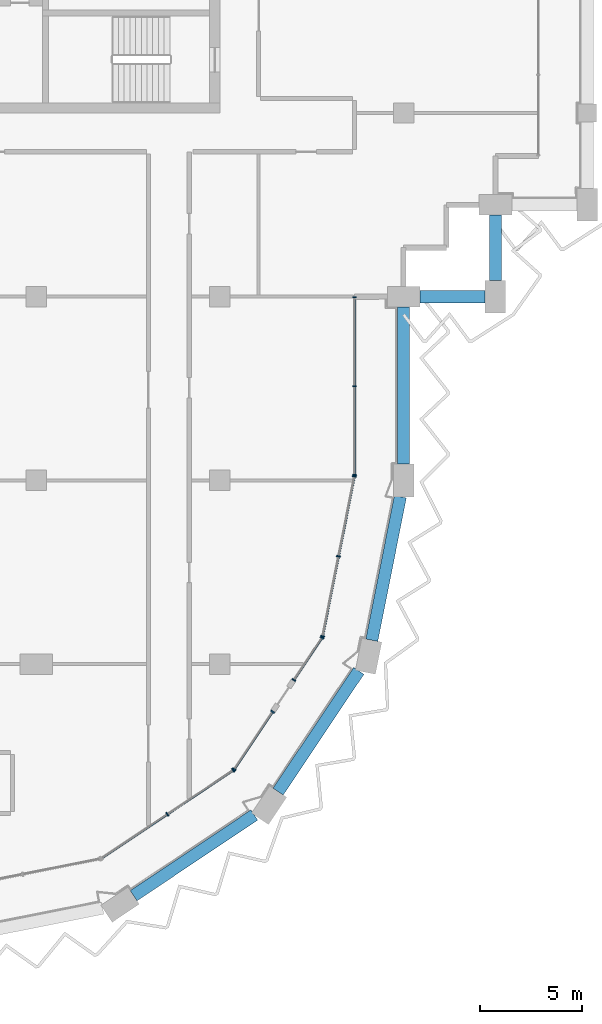
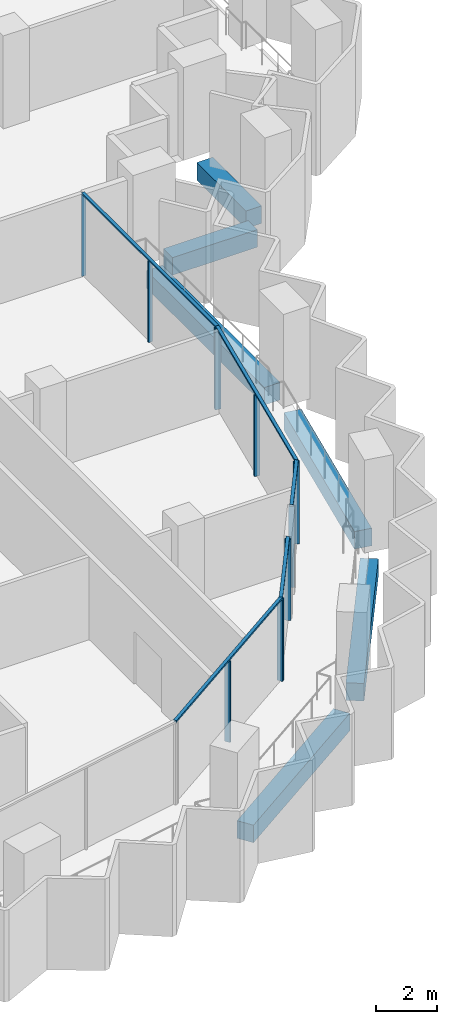
# One storey, part 4 of 17: 17 members, 6 beams, 5 elements without a shape of their own.
"""IFC4 building model written with IfcOpenShell, lengths in metres."""

from ifc_helpers import new_model, si_unit, direction, frame, origin, origin_2d, place, context, subcontext, project, spatial, rectangle, extrude, material, material_profile, profile_set, type_object, element, aggregate, save


model = new_model("IFC4")

# Units and contexts
model_context = context("Model", 3, precision=1e-05, world=origin(), true_north=direction((0.0, 1.0)))
body_context = subcontext(model_context, "Body", "Model", "MODEL_VIEW")
ifc_project = project(units=[si_unit("LENGTHUNIT", "METRE"), si_unit("AREAUNIT", "SQUARE_METRE"), si_unit("VOLUMEUNIT", "CUBIC_METRE"), si_unit("PLANEANGLEUNIT", "RADIAN"), si_unit("MASSUNIT", "GRAM", prefix="KILO")], contexts=[model_context])

# Site, building, storey
site_placement = place(None, origin())
site = spatial("IfcSite", under=ifc_project, at=site_placement, CompositionType="ELEMENT")
building_placement = place(site_placement, origin())
building = spatial("IfcBuilding", under=site, at=building_placement, Name="Hunhe Ridgeline Campus", CompositionType="ELEMENT")
storey_placement = place(building_placement, frame((0.0, 0.0, 265.10009765625)))
storey = spatial("IfcBuildingStorey", under=building, at=storey_placement, Name="L68", CompositionType="ELEMENT", Elevation=265.10009765625)

# Curtain wall, members
ifc_material_1 = material(Name="Aluminium 6063", Category="aluminium")
curtain_wall_type_1 = type_object("IfcCurtainWallType", Name="Curtain wall CW-1", PredefinedType="NOTDEFINED", material=ifc_material_1)
curtain_wall_1_placement = place(storey_placement, origin())
curtain_wall_1 = element("IfcCurtainWall", 1, at=curtain_wall_1_placement, inside=storey, type_object=curtain_wall_type_1, Name="Curtain wall 11", PredefinedType="NOTDEFINED")
ifc_material_profile_1 = material_profile(ifc_material_1, rectangle(XDim=0.159912109375, YDim=0.06005859375, at=origin_2d()))
ifc_profile_set_1 = profile_set([ifc_material_profile_1], Name="Aluminium 6063")
member_type_1 = type_object("IfcMemberType", Name="CW-1 aluminium mullion", PredefinedType="MULLION", material=ifc_profile_set_1)
member_1_placement = place(storey_placement, frame((42.59912109375, 45.266357421875, 0.0), z_axis=(0.0, 0.0, 1.0), x_axis=(-0.999999999814, 1.9283253e-05, 0.0)))
member_1 = element("IfcMember", 2, at=member_1_placement, type_object=member_type_1, Name="CW-1 mullion 1", PredefinedType="MULLION", context=body_context, shape_type="SweptSolid", body=[
    extrude(rectangle(XDim=0.159912109375, YDim=0.06005859375, at=origin_2d()), origin(), (0.0, 0.0, 1.0), 3.239990234375),
])
member_2_placement = place(storey_placement, frame((42.59912109375, 49.618408203125, 0.0), z_axis=(0.0, 0.0, 1.0), x_axis=(-0.999999999814, 1.9283253e-05, 0.0)))
member_2 = element("IfcMember", 3, at=member_2_placement, type_object=member_type_1, Name="CW-1 mullion 2", PredefinedType="MULLION", context=body_context, shape_type="SweptSolid", body=[
    extrude(rectangle(XDim=0.159912109375, YDim=0.06005859375, at=origin_2d()), origin(), (0.0, 0.0, 1.0), 3.239990234375),
])
member_3_placement = place(storey_placement, frame((42.59912109375, 53.970458984375, 0.0), z_axis=(0.0, 0.0, 1.0), x_axis=(-0.999999999814, 1.9283253e-05, 0.0)))
member_3 = element("IfcMember", 4, at=member_3_placement, type_object=member_type_1, Name="CW-1 mullion 3", PredefinedType="MULLION", context=body_context, shape_type="SweptSolid", body=[
    extrude(rectangle(XDim=0.159912109375, YDim=0.06005859375, at=origin_2d()), origin(), (0.0, 0.0, 1.0), 3.239990234375),
])
ifc_material_profile_2 = material_profile(ifc_material_1, rectangle(XDim=0.1201171875, YDim=0.06005859375, at=origin_2d()))
ifc_profile_set_2 = profile_set([ifc_material_profile_2], Name="Aluminium 6063")
member_type_2 = type_object("IfcMemberType", Name="CW-1 aluminium transom", PredefinedType="USERDEFINED", material=ifc_profile_set_2)
member_4_placement = place(storey_placement, frame((42.59912109375, 45.236572265625, 3.27001953125), z_axis=(0.0, 1.0, 0.0), x_axis=(-1.0, 0.0, 0.0)))
member_4 = element("IfcMember", 5, at=member_4_placement, type_object=member_type_2, Name="CW-1 transom 1", ObjectType="TRANSOM", PredefinedType="USERDEFINED", context=body_context, shape_type="SweptSolid", body=[
    extrude(rectangle(XDim=0.1201171875, YDim=0.06005859375, at=origin_2d()), origin(), (0.0, 0.0, 1.0), 8.763916015625),
])
aggregate(curtain_wall_1, [member_4, member_1, member_2, member_3])

curtain_wall_type_2 = type_object("IfcCurtainWallType", Name="Curtain wall CW-5", PredefinedType="NOTDEFINED", material=ifc_material_1)
curtain_wall_2_placement = place(storey_placement, origin())
curtain_wall_2 = element("IfcCurtainWall", 6, at=curtain_wall_2_placement, inside=storey, type_object=curtain_wall_type_2, Name="Curtain wall 07", PredefinedType="NOTDEFINED")
ifc_material_profile_3 = material_profile(ifc_material_1, rectangle(XDim=0.199951171875, YDim=0.070068359375, at=origin_2d()))
ifc_profile_set_3 = profile_set([ifc_material_profile_3], Name="Aluminium 6063")
member_type_3 = type_object("IfcMemberType", Name="CW-5 aluminium mullion", PredefinedType="MULLION", material=ifc_profile_set_3)
member_5_placement = place(storey_placement, frame((33.42626953125, 28.647705078125, 0.0), z_axis=(0.0, 0.0, 1.0), x_axis=(-0.555570274596, 0.831469584522, 0.0)))
member_5 = element("IfcMember", 7, at=member_5_placement, type_object=member_type_3, Name="CW-5 mullion 2", PredefinedType="MULLION", context=body_context, shape_type="SweptSolid", body=[
    extrude(rectangle(XDim=0.199951171875, YDim=0.070068359375, at=origin_2d()), origin(), (0.0, 0.0, 1.0), 3.22998046875),
])
member_6_placement = place(storey_placement, frame((36.649658203125, 30.8017578125, 0.0), z_axis=(0.0, 0.0, 1.0), x_axis=(-0.555570274596, 0.831469584522, 0.0)))
member_6 = element("IfcMember", 8, at=member_6_placement, type_object=member_type_3, Name="CW-5 mullion 3", PredefinedType="MULLION", context=body_context, shape_type="SweptSolid", body=[
    extrude(rectangle(XDim=0.199951171875, YDim=0.070068359375, at=origin_2d()), origin(), (0.0, 0.0, 1.0), 3.22998046875),
])

curtain_wall_3_placement = place(storey_placement, origin())
curtain_wall_3 = element("IfcCurtainWall", 9, at=curtain_wall_3_placement, inside=storey, type_object=curtain_wall_type_2, Name="Curtain wall 08", PredefinedType="NOTDEFINED")
member_7_placement = place(storey_placement, frame((36.6982421875, 30.850341796875, 0.0), z_axis=(0.0, 0.0, 1.0), x_axis=(-0.831469595944, 0.555570257501, 0.0)))
member_7 = element("IfcMember", 10, at=member_7_placement, type_object=member_type_3, Name="CW-5 mullion 1", PredefinedType="MULLION", context=body_context, shape_type="SweptSolid", body=[
    extrude(rectangle(XDim=0.199951171875, YDim=0.070068359375, at=origin_2d()), origin(), (0.0, 0.0, 1.0), 3.22998046875),
])
member_8_placement = place(storey_placement, frame((38.582763671875, 33.67041015625, 0.0), z_axis=(0.0, 0.0, 1.0), x_axis=(-0.831469595944, 0.555570257501, 0.0)))
member_8 = element("IfcMember", 11, at=member_8_placement, type_object=member_type_3, Name="CW-5 mullion 2", PredefinedType="MULLION", context=body_context, shape_type="SweptSolid", body=[
    extrude(rectangle(XDim=0.199951171875, YDim=0.070068359375, at=origin_2d()), origin(), (0.0, 0.0, 1.0), 3.22998046875),
])

curtain_wall_4_placement = place(storey_placement, origin())
curtain_wall_4 = element("IfcCurtainWall", 12, at=curtain_wall_4_placement, inside=storey, type_object=curtain_wall_type_2, Name="Curtain wall 09", PredefinedType="NOTDEFINED")
member_9_placement = place(storey_placement, frame((39.62158203125, 35.225341796875, 0.0), z_axis=(0.0, 0.0, 1.0), x_axis=(-0.831469510353, 0.555570385598, 0.0)))
member_9 = element("IfcMember", 13, at=member_9_placement, type_object=member_type_3, Name="CW-5 mullion 1", PredefinedType="MULLION", context=body_context, shape_type="SweptSolid", body=[
    extrude(rectangle(XDim=0.199951171875, YDim=0.070068359375, at=origin_2d()), origin(), (0.0, 0.0, 1.0), 3.22998046875),
])
member_10_placement = place(storey_placement, frame((41.006103515625, 37.29736328125, 0.0), z_axis=(0.0, 0.0, 1.0), x_axis=(-0.831469510353, 0.555570385598, 0.0)))
member_10 = element("IfcMember", 14, at=member_10_placement, type_object=member_type_3, Name="CW-5 mullion 2", PredefinedType="MULLION", context=body_context, shape_type="SweptSolid", body=[
    extrude(rectangle(XDim=0.199951171875, YDim=0.070068359375, at=origin_2d()), origin(), (0.0, 0.0, 1.0), 3.22998046875),
])

curtain_wall_5_placement = place(storey_placement, origin())
curtain_wall_5 = element("IfcCurtainWall", 15, at=curtain_wall_5_placement, inside=storey, type_object=curtain_wall_type_2, Name="Curtain wall 10", PredefinedType="NOTDEFINED")
member_11_placement = place(storey_placement, frame((41.032470703125, 37.36083984375, 0.0), z_axis=(0.0, 0.0, 1.0), x_axis=(-0.980785284939, 0.195090299215, 0.0)))
member_11 = element("IfcMember", 16, at=member_11_placement, type_object=member_type_3, Name="CW-5 mullion 1", PredefinedType="MULLION", context=body_context, shape_type="SweptSolid", body=[
    extrude(rectangle(XDim=0.199951171875, YDim=0.070068359375, at=origin_2d()), origin(), (0.0, 0.0, 1.0), 3.22998046875),
])
member_12_placement = place(storey_placement, frame((41.812255859375, 41.281494140625, 0.0), z_axis=(0.0, 0.0, 1.0), x_axis=(-0.980785284939, 0.195090299215, 0.0)))
member_12 = element("IfcMember", 17, at=member_12_placement, type_object=member_type_3, Name="CW-5 mullion 2", PredefinedType="MULLION", context=body_context, shape_type="SweptSolid", body=[
    extrude(rectangle(XDim=0.199951171875, YDim=0.070068359375, at=origin_2d()), origin(), (0.0, 0.0, 1.0), 3.22998046875),
])
member_13_placement = place(storey_placement, frame((42.59228515625, 45.2021484375, 0.0), z_axis=(0.0, 0.0, 1.0), x_axis=(-0.980785284939, 0.195090299215, 0.0)))
member_13 = element("IfcMember", 18, at=member_13_placement, type_object=member_type_3, Name="CW-5 mullion 3", PredefinedType="MULLION", context=body_context, shape_type="SweptSolid", body=[
    extrude(rectangle(XDim=0.199951171875, YDim=0.070068359375, at=origin_2d()), origin(), (0.0, 0.0, 1.0), 3.22998046875),
])

# Member
ifc_material_profile_4 = material_profile(ifc_material_1, rectangle(XDim=0.1201171875, YDim=0.070068359375, at=origin_2d()))
ifc_profile_set_4 = profile_set([ifc_material_profile_4], Name="Aluminium 6063")
member_type_4 = type_object("IfcMemberType", Name="CW-5 aluminium transom", PredefinedType="USERDEFINED", material=ifc_profile_set_4)
member_14_placement = place(storey_placement, frame((30.173583984375, 26.474365234375, 3.264892578125), z_axis=(0.831473763475, 0.5555640203, 0.0), x_axis=(-0.5555640203, 0.831473763475, 0.0)))
member_14 = element("IfcMember", 19, at=member_14_placement, type_object=member_type_4, Name="CW-5 transom 1", ObjectType="TRANSOM", PredefinedType="USERDEFINED", context=body_context, shape_type="SweptSolid", body=[
    extrude(rectangle(XDim=0.1201171875, YDim=0.070068359375, at=origin_2d()), origin(), (0.0, 0.0, 1.0), 7.823974609375),
])

aggregate(curtain_wall_2, [member_14, member_5, member_6])

member_15_placement = place(storey_placement, frame((36.678955078125, 30.821044921875, 3.264892578125), z_axis=(0.555546133463, 0.831485714606, 0.0), x_axis=(-0.831485714606, 0.555546133463, 0.0)))
member_15 = element("IfcMember", 20, at=member_15_placement, type_object=member_type_4, Name="CW-5 transom 1", ObjectType="TRANSOM", PredefinedType="USERDEFINED", context=body_context, shape_type="SweptSolid", body=[
    extrude(rectangle(XDim=0.1201171875, YDim=0.070068359375, at=origin_2d()), origin(), (0.0, 0.0, 1.0), 3.462158203125),
])

aggregate(curtain_wall_3, [member_15, member_7, member_8])

member_16_placement = place(storey_placement, frame((39.602294921875, 35.1962890625, 3.264892578125), z_axis=(0.555579547735, 0.831463388334, 0.0), x_axis=(-0.831463388334, 0.555579547735, 0.0)))
member_16 = element("IfcMember", 21, at=member_16_placement, type_object=member_type_4, Name="CW-5 transom 1", ObjectType="TRANSOM", PredefinedType="USERDEFINED", context=body_context, shape_type="SweptSolid", body=[
    extrude(rectangle(XDim=0.1201171875, YDim=0.070068359375, at=origin_2d()), origin(), (0.0, 0.0, 1.0), 2.56201171875),
])

aggregate(curtain_wall_4, [member_16, member_9, member_10])

member_17_placement = place(storey_placement, frame((41.025634765625, 37.326416015625, 3.264892578125), z_axis=(0.195097290093, 0.980783894341, 0.0), x_axis=(-0.980783894341, 0.195097290093, 0.0)))
member_17 = element("IfcMember", 22, at=member_17_placement, type_object=member_type_4, Name="CW-5 transom 1", ObjectType="TRANSOM", PredefinedType="USERDEFINED", context=body_context, shape_type="SweptSolid", body=[
    extrude(rectangle(XDim=0.1201171875, YDim=0.070068359375, at=origin_2d()), origin(), (0.0, 0.0, 1.0), 8.065185546875),
])

aggregate(curtain_wall_5, [member_17, member_11, member_12, member_13])

# Beams
ifc_material_2 = material(Name="Concrete C50", Category="concrete")
ifc_material_profile_5 = material_profile(ifc_material_2, rectangle(XDim=0.60009765625, YDim=0.699951171875, at=origin_2d()))
ifc_profile_set_5 = profile_set([ifc_material_profile_5], Name="Concrete C50")
beam_type = type_object("IfcBeamType", Name="RC spandrel beam 600x700 Concrete C50", PredefinedType="SPANDREL", material=ifc_profile_set_5)
for number, where, z_axis, x_axis, name in (
    (23, (31.775634765625, 24.6572265625, -0.60009765625), (0.831463706344, 0.55557907181, 0.0), (-0.55557907181, 0.831463706344, 0.0), "Spandrel beam B4-6 L68"),
    (24, (38.854248046875, 29.75537109375, -0.60009765625), (0.55557907181, 0.831463706344, 0.0), (-0.831463706344, 0.55557907181, 0.0), "Spandrel beam B4-7 L68"),
):
    element("IfcBeam", number, at=place(storey_placement, frame(where, z_axis=z_axis, x_axis=x_axis)), inside=storey, type_object=beam_type, Name=name, PredefinedType="SPANDREL", context=body_context, shape_type="SweptSolid", body=[
        extrude(rectangle(XDim=0.60009765625, YDim=0.699951171875, at=origin_2d()), origin(), (0.0, 0.0, 1.0), 7.113037109375),
    ])
beam_1_placement = place(storey_placement, frame((43.443359375, 37.17431640625, -0.60009765625), z_axis=(0.195087004291, 0.980785940334, 0.0), x_axis=(-0.980785940334, 0.195087004291, 0.0)))
element("IfcBeam", 25, at=beam_1_placement, inside=storey, type_object=beam_type, Name="Spandrel beam B4-8 L68", PredefinedType="SPANDREL", context=body_context, shape_type="SweptSolid", body=[
    extrude(rectangle(XDim=0.60009765625, YDim=0.699951171875, at=origin_2d()), origin(), (0.0, 0.0, 1.0), 7.163330078125),
])
beam_2_placement = place(storey_placement, frame((45.0, 45.800048828125, -0.60009765625), z_axis=(0.0, 1.0, 0.0), x_axis=(-1.0, 0.0, 0.0)))
element("IfcBeam", 26, at=beam_2_placement, inside=storey, type_object=beam_type, Name="Spandrel beam B4-9 L68", PredefinedType="SPANDREL", context=body_context, shape_type="SweptSolid", body=[
    extrude(rectangle(XDim=0.60009765625, YDim=0.699951171875, at=origin_2d()), origin(), (0.0, 0.0, 1.0), 7.699951171875),
])
for number, where, z_axis, x_axis, name in (
    (27, (45.800048828125, 54.0, -0.60009765625), (1.0, 0.0, 0.0), (0.0, 1.0, 0.0), "Spandrel beam B4-10 L68"),
    (28, (49.5, 54.800048828125, -0.60009765625), (0.0, 1.0, 0.0), (-1.0, 0.0, 0.0), "Spandrel beam B4-11 L68"),
):
    element("IfcBeam", number, at=place(storey_placement, frame(where, z_axis=z_axis, x_axis=x_axis)), inside=storey, type_object=beam_type, Name=name, PredefinedType="SPANDREL", context=body_context, shape_type="SweptSolid", body=[
        extrude(rectangle(XDim=0.60009765625, YDim=0.699951171875, at=origin_2d()), origin(), (0.0, 0.0, 1.0), 3.199951171875),
    ])

save(model, "model.ifc")
